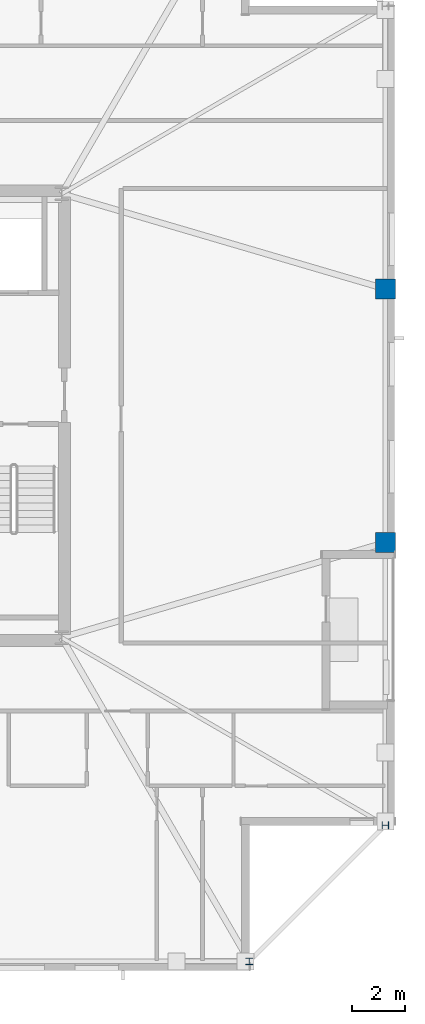
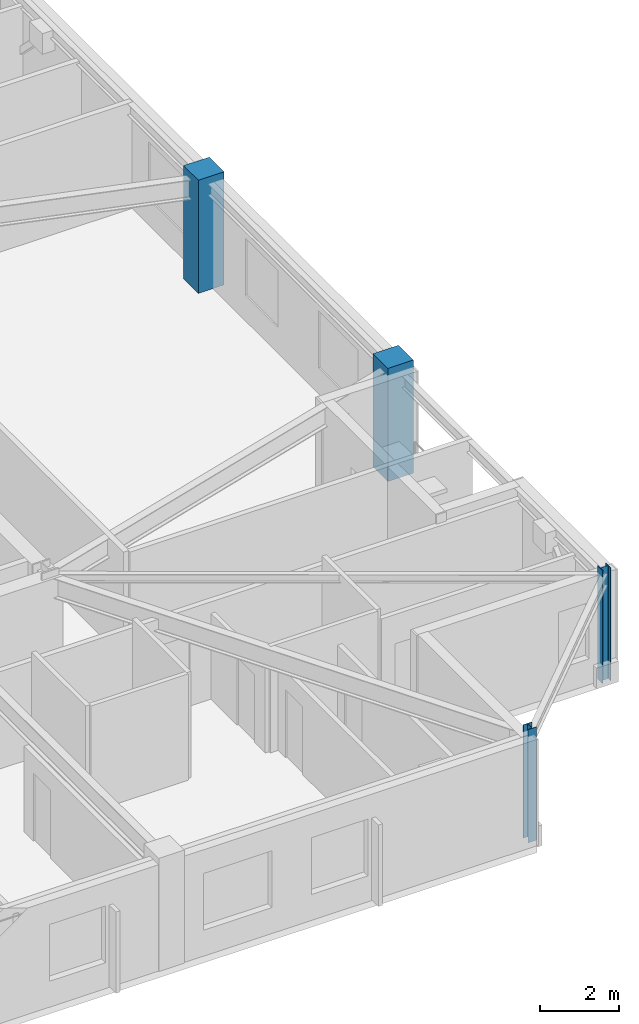
# One storey, part 3 of 15: 4 columns.
"""IFC4 building model written with IfcOpenShell, lengths in metres."""

from ifc_helpers import new_model, si_unit, direction, frame, origin, origin_2d, place, context, subcontext, project, spatial, rectangle, i_section, extrude, material, material_profile, profile_set, type_object, element, save


model = new_model("IFC4")

# Units and contexts
model_context = context("Model", 3, precision=1e-05, world=origin(), true_north=direction((0.0, 1.0)))
body_context = subcontext(model_context, "Body", "Model", "MODEL_VIEW")
ifc_project = project(units=[si_unit("LENGTHUNIT", "METRE"), si_unit("AREAUNIT", "SQUARE_METRE"), si_unit("VOLUMEUNIT", "CUBIC_METRE"), si_unit("PLANEANGLEUNIT", "RADIAN"), si_unit("MASSUNIT", "GRAM", prefix="KILO")], contexts=[model_context])

# Site, building, storey
site_placement = place(None, origin())
site = spatial("IfcSite", under=ifc_project, at=site_placement, CompositionType="ELEMENT")
building_placement = place(site_placement, origin())
building = spatial("IfcBuilding", under=site, at=building_placement, Name="Cairnveth Concourse Tower", CompositionType="ELEMENT")
storey_placement = place(building_placement, frame((0.0, 0.0, 298.0)))
storey = spatial("IfcBuildingStorey", under=building, at=storey_placement, Name="L82", CompositionType="ELEMENT", Elevation=298.0)

# Columns
ifc_material_1 = material(Name="Concrete N50 (50 MPa)", Category="concrete")
ifc_material_profile_1 = material_profile(ifc_material_1, rectangle(XDim=0.75, YDim=0.75, at=origin_2d()), Name="RC-COL-750x750")
ifc_profile_set_1 = profile_set([ifc_material_profile_1], Name="Concrete N50 (50 MPa)")
column_type_1 = type_object("IfcColumnType", Name="PERIMETER PIER COLUMN 750X750", PredefinedType="COLUMN", material=ifc_profile_set_1)
for number, where, z_axis, x_axis, name in (
    (1, (72.64990234375, 34.199951171875, 0.0), (0.0, 0.0, 1.0), (0.0, 1.0, 0.0), "Column P-E2 L82"),
    (2, (72.64990234375, 43.800048828125, 0.0), (0.0, 0.0, 1.0), (0.0, 1.0, 0.0), "Column P-E3 L82"),
):
    element("IfcColumn", number, at=place(storey_placement, frame(where, z_axis=z_axis, x_axis=x_axis)), inside=storey, type_object=column_type_1, Name=name, PredefinedType="COLUMN", context=body_context, shape_type="SweptSolid", body=[
        extrude(rectangle(XDim=0.75, YDim=0.75, at=origin_2d()), origin(), (0.0, 0.0, 1.0), 3.5),
    ])
ifc_material_2 = material(Name="Steel Grade 350", Category="steel")
ifc_material_profile_2 = material_profile(ifc_material_2, i_section(OverallWidth=0.25390625, OverallDepth=0.25390625, WebThickness=0.008544921875, FlangeThickness=0.01416015625, FilletRadius=0.012939453125, at=origin_2d()), Name="250UC72.9")
ifc_profile_set_2 = profile_set([ifc_material_profile_2], Name="Steel Grade 350")
column_type_2 = type_object("IfcColumnType", Name="UNIVERSAL STEEL COLUMN 250UC72.9", PredefinedType="COLUMN", material=ifc_profile_set_2)
for number, where, z_axis, x_axis, name in (
    (3, (67.5, 18.35009765625, 0.0), (0.0, 0.0, 1.0), (1.0, 0.0, 0.0), "Column P-S4 L82"),
    (4, (72.64990234375, 23.5, 0.0), (0.0, 0.0, 1.0), (0.0, 1.0, 0.0), "Column P-E1 L82"),
):
    element("IfcColumn", number, at=place(storey_placement, frame(where, z_axis=z_axis, x_axis=x_axis)), inside=storey, type_object=column_type_2, Name=name, PredefinedType="COLUMN", context=body_context, shape_type="SweptSolid", body=[
        extrude(i_section(OverallWidth=0.25390625, OverallDepth=0.25390625, WebThickness=0.008544921875, FlangeThickness=0.01416015625, FilletRadius=0.012939453125, at=origin_2d()), origin(), (0.0, 0.0, 1.0), 3.5),
    ])

save(model, "model.ifc")
